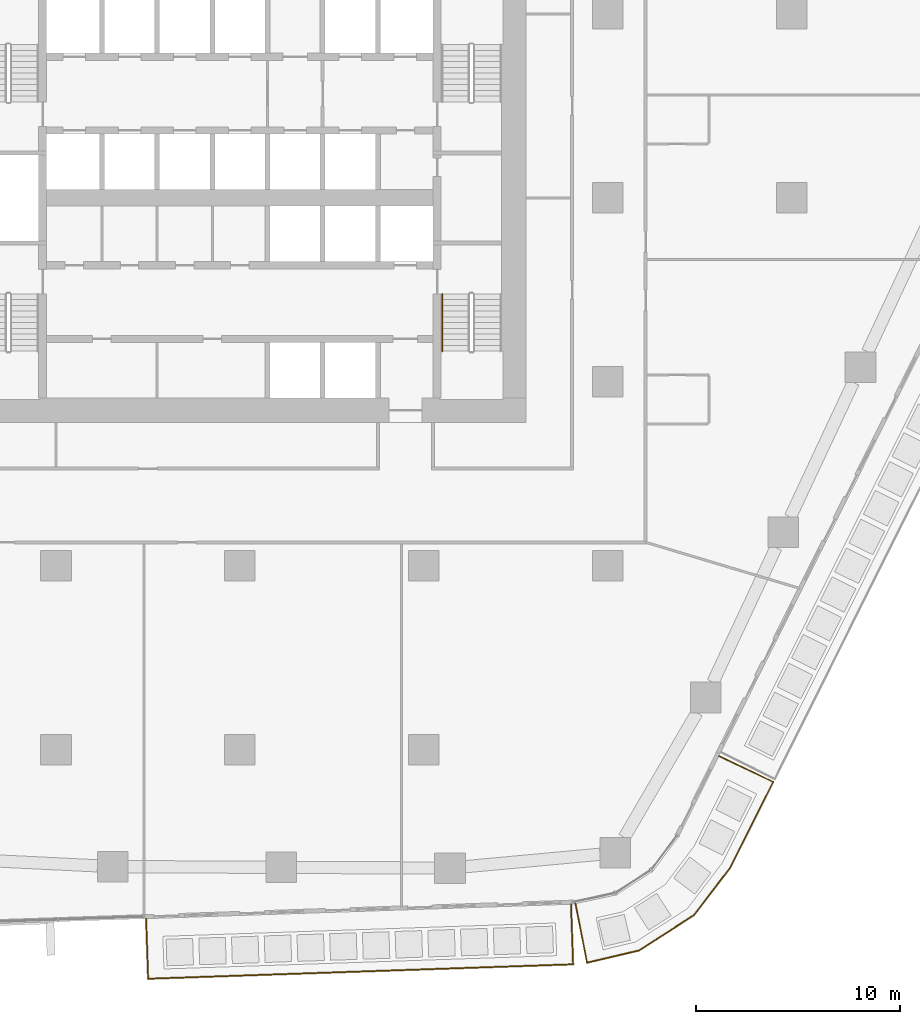
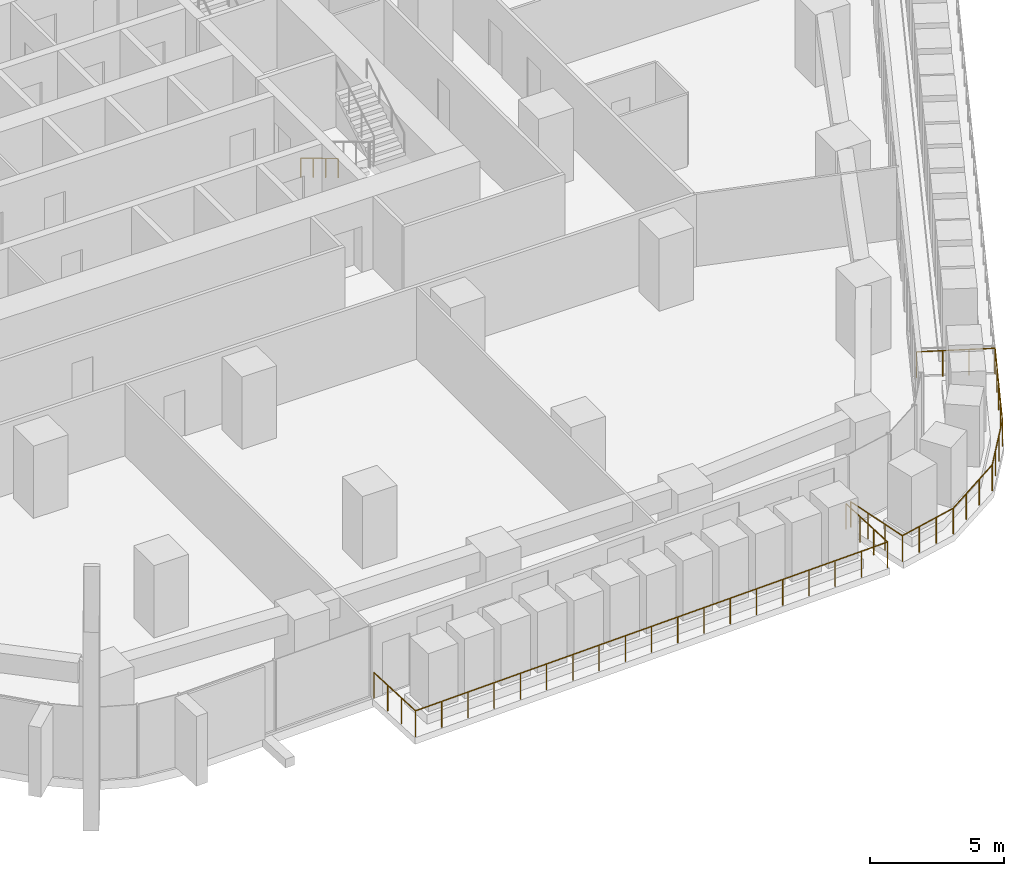
# One storey, part 21 of 26: 3 railings.
"""IFC4 building model written with IfcOpenShell, lengths in metres."""

from ifc_helpers import new_model, si_unit, direction, frame, origin, origin_2d, place, context, subcontext, project, spatial, circle, extrude, material, type_object, element, save


model = new_model("IFC4")

# Units and contexts
model_context = context("Model", 3, precision=1e-05, world=origin(), true_north=direction((0.0, 1.0)))
body_context = subcontext(model_context, "Body", "Model", "MODEL_VIEW")
ifc_project = project(units=[si_unit("LENGTHUNIT", "METRE"), si_unit("AREAUNIT", "SQUARE_METRE"), si_unit("VOLUMEUNIT", "CUBIC_METRE"), si_unit("PLANEANGLEUNIT", "RADIAN"), si_unit("MASSUNIT", "GRAM", prefix="KILO")], contexts=[model_context])

# Site, building, storey
site_placement = place(None, origin())
site = spatial("IfcSite", under=ifc_project, at=site_placement, CompositionType="ELEMENT")
building_placement = place(site_placement, origin())
building = spatial("IfcBuilding", under=site, at=building_placement, Name="Dongbaek Canopy Tower", CompositionType="ELEMENT")
storey_placement = place(building_placement, frame((0.0, 0.0, 66.199951171875)))
storey = spatial("IfcBuildingStorey", under=building, at=storey_placement, Name="L12", CompositionType="ELEMENT", Elevation=66.199951171875)

# Railings
ifc_material_1 = material(Name="Stainless steel", Category="steel")
railing_type_1 = type_object("IfcRailingType", Name="Balcony balustrade 1200", PredefinedType="BALUSTRADE", material=ifc_material_1)
railing_1_placement = place(storey_placement, frame((-4.589111328125, -35.263916015625, 0.0)))
element("IfcRailing", 1, at=railing_1_placement, inside=storey, type_object=railing_type_1, Name="Balcony guard L12 4", PredefinedType="BALUSTRADE", context=body_context, shape_type="SweptSolid", body=[
    extrude(circle(Radius=0.02392578125, at=origin_2d()), frame((0.0, 0.0, 1.17578125), z_axis=(0.033964605058, -0.999423036358, 0.0), x_axis=(0.999423036358, 0.033964605058, 0.0)), (0.0, 0.0, 1.0), 2.93994140625),
    extrude(circle(Radius=0.02392578125, at=origin_2d()), frame((0.099853515625, -2.938232421875, 1.17578125), z_axis=(0.999424133767, 0.033932297953, 0.0), x_axis=(-0.033932297953, 0.999424133767, 0.0)), (0.0, 0.0, 1.0), 20.800537109375),
    extrude(circle(Radius=0.02392578125, at=origin_2d()), frame((20.888427734375, -2.232421875, 1.17578125), z_axis=(-0.033964605058, 0.999423036358, 0.0), x_axis=(-0.999423036358, -0.033964605058, 0.0)), (0.0, 0.0, 1.0), 2.93994140625),
    extrude(circle(Radius=0.02099609375, at=origin_2d()), origin(), (0.0, 0.0, 1.0), 1.15185546875),
    extrude(circle(Radius=0.02099609375, at=origin_2d()), frame((0.033203125, -0.9794921875, 0.0)), (0.0, 0.0, 1.0), 1.15185546875),
    extrude(circle(Radius=0.02099609375, at=origin_2d()), frame((0.066650390625, -1.958740234375, 0.0)), (0.0, 0.0, 1.0), 1.15185546875),
    extrude(circle(Radius=0.02099609375, at=origin_2d()), frame((0.099853515625, -2.938232421875, 0.0)), (0.0, 0.0, 1.0), 1.15185546875),
    extrude(circle(Radius=0.02099609375, at=origin_2d()), frame((1.2548828125, -2.89892578125, 0.0)), (0.0, 0.0, 1.0), 1.15185546875),
    extrude(circle(Radius=0.02099609375, at=origin_2d()), frame((2.40966796875, -2.85986328125, 0.0)), (0.0, 0.0, 1.0), 1.15185546875),
    extrude(circle(Radius=0.02099609375, at=origin_2d()), frame((3.564697265625, -2.820556640625, 0.0)), (0.0, 0.0, 1.0), 1.15185546875),
    extrude(circle(Radius=0.02099609375, at=origin_2d()), frame((4.719482421875, -2.781494140625, 0.0)), (0.0, 0.0, 1.0), 1.15185546875),
    extrude(circle(Radius=0.02099609375, at=origin_2d()), frame((5.87451171875, -2.7421875, 0.0)), (0.0, 0.0, 1.0), 1.15185546875),
    extrude(circle(Radius=0.02099609375, at=origin_2d()), frame((7.029296875, -2.702880859375, 0.0)), (0.0, 0.0, 1.0), 1.15185546875),
    extrude(circle(Radius=0.02099609375, at=origin_2d()), frame((8.184326171875, -2.663818359375, 0.0)), (0.0, 0.0, 1.0), 1.15185546875),
    extrude(circle(Radius=0.02099609375, at=origin_2d()), frame((9.339111328125, -2.62451171875, 0.0)), (0.0, 0.0, 1.0), 1.15185546875),
    extrude(circle(Radius=0.02099609375, at=origin_2d()), frame((10.494140625, -2.58544921875, 0.0)), (0.0, 0.0, 1.0), 1.15185546875),
    extrude(circle(Radius=0.02099609375, at=origin_2d()), frame((11.649169921875, -2.546142578125, 0.0)), (0.0, 0.0, 1.0), 1.15185546875),
    extrude(circle(Radius=0.02099609375, at=origin_2d()), frame((12.803955078125, -2.5068359375, 0.0)), (0.0, 0.0, 1.0), 1.15185546875),
    extrude(circle(Radius=0.02099609375, at=origin_2d()), frame((13.958984375, -2.4677734375, 0.0)), (0.0, 0.0, 1.0), 1.15185546875),
    extrude(circle(Radius=0.02099609375, at=origin_2d()), frame((15.11376953125, -2.428466796875, 0.0)), (0.0, 0.0, 1.0), 1.15185546875),
    extrude(circle(Radius=0.02099609375, at=origin_2d()), frame((16.268798828125, -2.38916015625, 0.0)), (0.0, 0.0, 1.0), 1.15185546875),
    extrude(circle(Radius=0.02099609375, at=origin_2d()), frame((17.423583984375, -2.35009765625, 0.0)), (0.0, 0.0, 1.0), 1.15185546875),
    extrude(circle(Radius=0.02099609375, at=origin_2d()), frame((18.57861328125, -2.310791015625, 0.0)), (0.0, 0.0, 1.0), 1.15185546875),
    extrude(circle(Radius=0.02099609375, at=origin_2d()), frame((19.7333984375, -2.271728515625, 0.0)), (0.0, 0.0, 1.0), 1.15185546875),
    extrude(circle(Radius=0.02099609375, at=origin_2d()), frame((20.888427734375, -2.232421875, 0.0)), (0.0, 0.0, 1.0), 1.15185546875),
    extrude(circle(Radius=0.02099609375, at=origin_2d()), frame((20.855224609375, -1.2529296875, 0.0)), (0.0, 0.0, 1.0), 1.15185546875),
    extrude(circle(Radius=0.02099609375, at=origin_2d()), frame((20.82177734375, -0.273681640625, 0.0)), (0.0, 0.0, 1.0), 1.15185546875),
    extrude(circle(Radius=0.02099609375, at=origin_2d()), frame((20.78857421875, 0.705810546875, 0.0)), (0.0, 0.0, 1.0), 1.15185546875),
])
railing_2_placement = place(storey_placement, frame((16.4169921875, -34.53125, 0.0)))
element("IfcRailing", 2, at=railing_2_placement, inside=storey, type_object=railing_type_1, Name="Balcony guard L12 8", PredefinedType="BALUSTRADE", context=body_context, shape_type="SweptSolid", body=[
    extrude(circle(Radius=0.02392578125, at=origin_2d()), frame((0.0, 0.0, 1.17578125), z_axis=(0.191371856192, -0.981517606901, 0.0), x_axis=(0.981517606901, 0.191371856192, 0.0)), (0.0, 0.0, 1.0), 2.940673828125),
    extrude(circle(Radius=0.02392578125, at=origin_2d()), frame((0.562744140625, -2.88623046875, 1.17578125), z_axis=(0.973441692386, 0.228935081464, 0.0), x_axis=(-0.228935081464, 0.973441692386, 0.0)), (0.0, 0.0, 1.0), 2.610595703125),
    extrude(circle(Radius=0.02392578125, at=origin_2d()), frame((3.10400390625, -2.28857421875, 1.17578125), z_axis=(0.841367778645, 0.540463006188, 0.0), x_axis=(-0.540463006188, 0.841367778645, 0.0)), (0.0, 0.0, 1.0), 3.183837890625),
    extrude(circle(Radius=0.02392578125, at=origin_2d()), frame((5.78271484375, -0.56787109375, 1.17578125), z_axis=(0.608252688923, 0.79374345126, 0.0), x_axis=(-0.79374345126, 0.608252688923, 0.0)), (0.0, 0.0, 1.0), 2.92333984375),
    extrude(circle(Radius=0.02392578125, at=origin_2d()), frame((7.560791015625, 1.75244140625, 1.17578125), z_axis=(0.448663484014, 0.893700776609, 0.0), x_axis=(-0.893700776609, 0.448663484014, 0.0)), (0.0, 0.0, 1.0), 4.712890625),
    extrude(circle(Radius=0.02392578125, at=origin_2d()), frame((9.67529296875, 5.96435546875, 1.17578125), z_axis=(-0.903754742696, 0.428050657114, 0.0), x_axis=(-0.428050657114, -0.903754742696, 0.0)), (0.0, 0.0, 1.0), 2.940673828125),
    extrude(circle(Radius=0.02099609375, at=origin_2d()), origin(), (0.0, 0.0, 1.0), 1.15185546875),
    extrude(circle(Radius=0.02099609375, at=origin_2d()), frame((0.1875, -0.962158203125, 0.0)), (0.0, 0.0, 1.0), 1.15185546875),
    extrude(circle(Radius=0.02099609375, at=origin_2d()), frame((0.375244140625, -1.924072265625, 0.0)), (0.0, 0.0, 1.0), 1.15185546875),
    extrude(circle(Radius=0.02099609375, at=origin_2d()), frame((0.562744140625, -2.88623046875, 0.0)), (0.0, 0.0, 1.0), 1.15185546875),
    extrude(circle(Radius=0.02099609375, at=origin_2d()), frame((1.409912109375, -2.68701171875, 0.0)), (0.0, 0.0, 1.0), 1.15185546875),
    extrude(circle(Radius=0.02099609375, at=origin_2d()), frame((2.2568359375, -2.48779296875, 0.0)), (0.0, 0.0, 1.0), 1.15185546875),
    extrude(circle(Radius=0.02099609375, at=origin_2d()), frame((3.10400390625, -2.28857421875, 0.0)), (0.0, 0.0, 1.0), 1.15185546875),
    extrude(circle(Radius=0.02099609375, at=origin_2d()), frame((3.996826171875, -1.715087890625, 0.0)), (0.0, 0.0, 1.0), 1.15185546875),
    extrude(circle(Radius=0.02099609375, at=origin_2d()), frame((4.889892578125, -1.141357421875, 0.0)), (0.0, 0.0, 1.0), 1.15185546875),
    extrude(circle(Radius=0.02099609375, at=origin_2d()), frame((5.78271484375, -0.56787109375, 0.0)), (0.0, 0.0, 1.0), 1.15185546875),
    extrude(circle(Radius=0.02099609375, at=origin_2d()), frame((6.37548828125, 0.20556640625, 0.0)), (0.0, 0.0, 1.0), 1.15185546875),
    extrude(circle(Radius=0.02099609375, at=origin_2d()), frame((6.968017578125, 0.97900390625, 0.0)), (0.0, 0.0, 1.0), 1.15185546875),
    extrude(circle(Radius=0.02099609375, at=origin_2d()), frame((7.560791015625, 1.75244140625, 0.0)), (0.0, 0.0, 1.0), 1.15185546875),
    extrude(circle(Radius=0.02099609375, at=origin_2d()), frame((8.08935546875, 2.805419921875, 0.0)), (0.0, 0.0, 1.0), 1.15185546875),
    extrude(circle(Radius=0.02099609375, at=origin_2d()), frame((8.6181640625, 3.8583984375, 0.0)), (0.0, 0.0, 1.0), 1.15185546875),
    extrude(circle(Radius=0.02099609375, at=origin_2d()), frame((9.146728515625, 4.911376953125, 0.0)), (0.0, 0.0, 1.0), 1.15185546875),
    extrude(circle(Radius=0.02099609375, at=origin_2d()), frame((9.67529296875, 5.96435546875, 0.0)), (0.0, 0.0, 1.0), 1.15185546875),
    extrude(circle(Radius=0.02099609375, at=origin_2d()), frame((8.789306640625, 6.384033203125, 0.0)), (0.0, 0.0, 1.0), 1.15185546875),
    extrude(circle(Radius=0.02099609375, at=origin_2d()), frame((7.903564453125, 6.803466796875, 0.0)), (0.0, 0.0, 1.0), 1.15185546875),
    extrude(circle(Radius=0.02099609375, at=origin_2d()), frame((7.017578125, 7.22314453125, 0.0)), (0.0, 0.0, 1.0), 1.15185546875),
])
ifc_material_2 = material(Name="Stainless steel tube", Category="steel")
railing_type_2 = type_object("IfcRailingType", Name="Stair handrail 900", PredefinedType="HANDRAIL", material=ifc_material_2)
railing_3_placement = place(storey_placement, frame((9.89990234375, -4.699951171875, 0.168212890625)))
element("IfcRailing", 3, at=railing_3_placement, inside=storey, type_object=railing_type_2, Name="L12 ST-B stair handrail 1", PredefinedType="HANDRAIL", context=body_context, shape_type="SweptSolid", body=[
    extrude(circle(Radius=0.02392578125, at=origin_2d()), frame((0.0, 0.0, 0.8759765625), z_axis=(0.0, -0.857242210791, 0.514913383045), x_axis=(1.0, 0.0, 0.0)), (0.0, 0.0, 1.0), 3.266357421875),
    extrude(circle(Radius=0.02099609375, at=origin_2d()), origin(), (0.0, 0.0, 1.0), 0.851806640625),
    extrude(circle(Radius=0.02099609375, at=origin_2d()), frame((0.0, -0.933349609375, 0.560546875)), (0.0, 0.0, 1.0), 0.851806640625),
    extrude(circle(Radius=0.02099609375, at=origin_2d()), frame((0.0, -1.86669921875, 1.121337890625)), (0.0, 0.0, 1.0), 0.851806640625),
    extrude(circle(Radius=0.02099609375, at=origin_2d()), frame((0.0, -2.800048828125, 1.681884765625)), (0.0, 0.0, 1.0), 0.851806640625),
])

save(model, "model.ifc")
